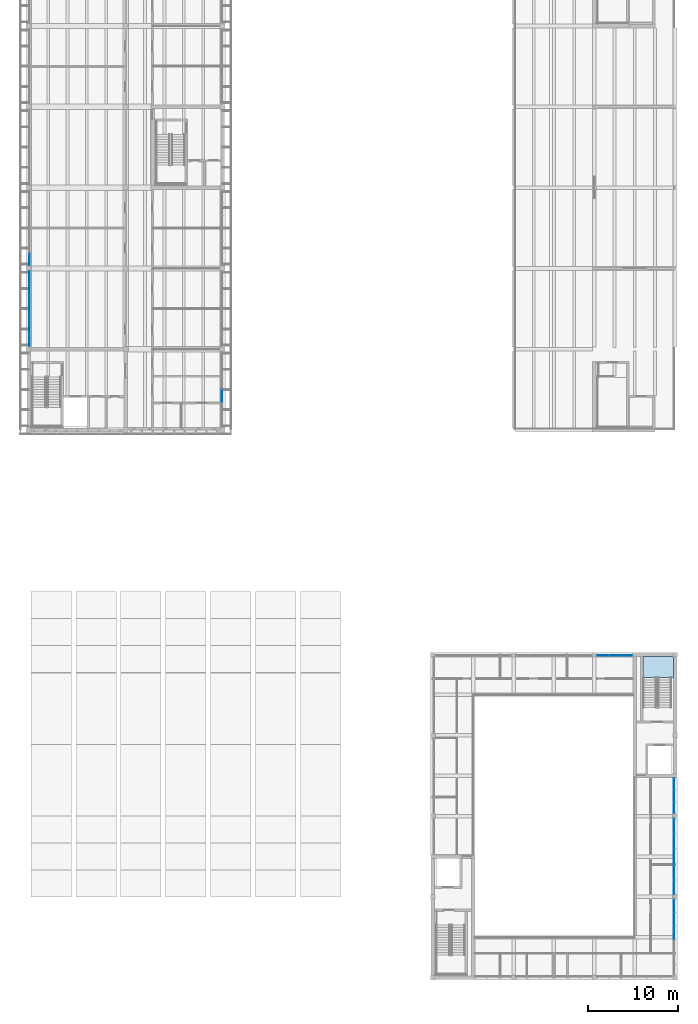
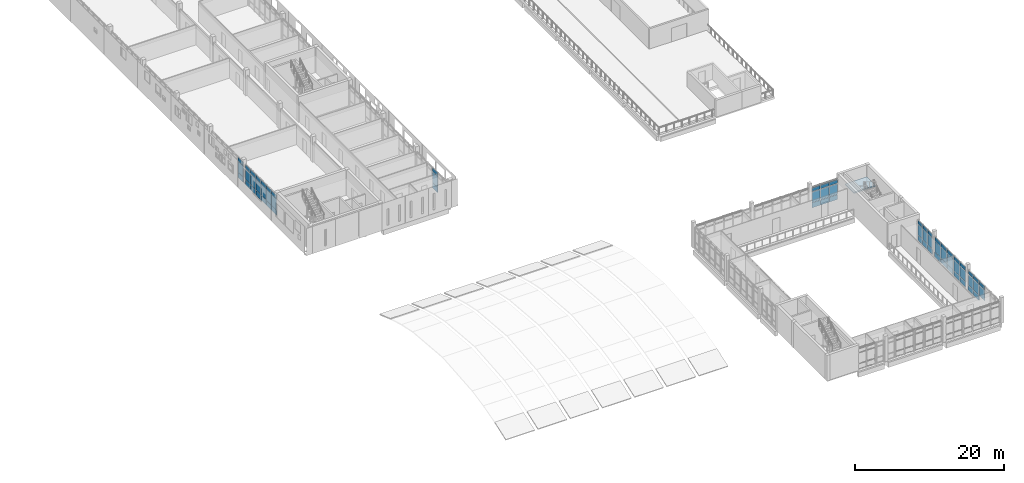
# One storey, part 33 of 74: 65 plates, 1 slab, 9 elements without a shape of their own.
"""IFC4 building model written with IfcOpenShell, lengths in metres."""

from ifc_helpers import new_model, si_unit, direction, frame, origin, origin_2d, place, context, subcontext, project, spatial, polyline, rectangle, outline, extrude, material, layer, layer_set, type_object, element, aggregate, save


model = new_model("IFC4")

# Units and contexts
model_context = context("Model", 3, precision=1e-05, world=origin(), true_north=direction((0.0, 1.0)))
body_context = subcontext(model_context, "Body", "Model", "MODEL_VIEW")
ifc_project = project(units=[si_unit("LENGTHUNIT", "METRE"), si_unit("AREAUNIT", "SQUARE_METRE"), si_unit("VOLUMEUNIT", "CUBIC_METRE"), si_unit("PLANEANGLEUNIT", "RADIAN"), si_unit("MASSUNIT", "GRAM", prefix="KILO")], contexts=[model_context])

# Site, building, storey
site_placement = place(None, origin())
site = spatial("IfcSite", under=ifc_project, at=site_placement, CompositionType="ELEMENT")
building_placement = place(site_placement, origin())
building = spatial("IfcBuilding", under=site, at=building_placement, Name="Merrow Basin Faculty of Sciences", CompositionType="ELEMENT")
storey_placement = place(building_placement, frame((0.0, 0.0, 13.5)))
storey = spatial("IfcBuildingStorey", under=building, at=storey_placement, Name="L03", CompositionType="ELEMENT", Elevation=13.5)

# Curtain wall, plates
ifc_material_1 = material(Name="Aluminium alloy 6063", Category="aluminium")
curtain_wall_type_1 = type_object("IfcCurtainWallType", Name="Atrium unitised curtain wall 240", PredefinedType="NOTDEFINED", material=ifc_material_1)
curtain_wall_1_placement = place(storey_placement, origin())
curtain_wall_1 = element("IfcCurtainWall", 1, at=curtain_wall_1_placement, inside=storey, type_object=curtain_wall_type_1, Name="N curtain wall L03 5", PredefinedType="NOTDEFINED")
ifc_material_2 = material(Name="Low-E double glazing", Category="glass")
ifc_layer_1 = layer(ifc_material_2, 0.031982421875)
ifc_layer_set_1 = layer_set([ifc_layer_1], Name="Acoustic double glazed panel 32")
plate_type_1 = type_object("IfcPlateType", Name="Acoustic double glazed panel 32", PredefinedType="CURTAIN_PANEL", material=ifc_layer_set_1)
plate_1_placement = place(storey_placement, frame((63.93994140625, 35.8798828125, 0.93017578125), z_axis=(0.0, 0.0, 1.0), x_axis=(1.0, 0.0, 0.0)))
plate_1 = element("IfcPlate", 2, at=plate_1_placement, type_object=plate_type_1, Name="CW5 panel 1.2", PredefinedType="CURTAIN_PANEL", context=body_context, shape_type="SweptSolid", body=[
    extrude(rectangle(XDim=1.260009765625, YDim=0.031982421875, at=origin_2d()), origin(), (0.0, 0.0, 1.0), 1.739990234375),
])
plate_2_placement = place(storey_placement, frame((63.93994140625, 35.8798828125, 2.72998046875), z_axis=(0.0, 0.0, 1.0), x_axis=(1.0, 0.0, 0.0)))
plate_2 = element("IfcPlate", 3, at=plate_2_placement, type_object=plate_type_1, Name="CW5 panel 1.3", PredefinedType="CURTAIN_PANEL", context=body_context, shape_type="SweptSolid", body=[
    extrude(rectangle(XDim=1.260009765625, YDim=0.031982421875, at=origin_2d()), origin(), (0.0, 0.0, 1.0), 0.610107421875),
])
plate_3_placement = place(storey_placement, frame((65.27490234375, 35.8798828125, 0.93017578125), z_axis=(0.0, 0.0, 1.0), x_axis=(1.0, 0.0, 0.0)))
plate_3 = element("IfcPlate", 4, at=plate_3_placement, type_object=plate_type_1, Name="CW5 panel 2.2", PredefinedType="CURTAIN_PANEL", context=body_context, shape_type="SweptSolid", body=[
    extrude(rectangle(XDim=1.2900390625, YDim=0.031982421875, at=origin_2d()), origin(), (0.0, 0.0, 1.0), 1.739990234375),
])
plate_4_placement = place(storey_placement, frame((65.27490234375, 35.8798828125, 2.72998046875), z_axis=(0.0, 0.0, 1.0), x_axis=(1.0, 0.0, 0.0)))
plate_4 = element("IfcPlate", 5, at=plate_4_placement, type_object=plate_type_1, Name="CW5 panel 2.3", PredefinedType="CURTAIN_PANEL", context=body_context, shape_type="SweptSolid", body=[
    extrude(rectangle(XDim=1.2900390625, YDim=0.031982421875, at=origin_2d()), origin(), (0.0, 0.0, 1.0), 0.610107421875),
])
plate_5_placement = place(storey_placement, frame((66.610107421875, 35.8798828125, 0.93017578125), z_axis=(0.0, 0.0, 1.0), x_axis=(1.0, 0.0, 0.0)))
plate_5 = element("IfcPlate", 6, at=plate_5_placement, type_object=plate_type_1, Name="CW5 panel 3.2", PredefinedType="CURTAIN_PANEL", context=body_context, shape_type="SweptSolid", body=[
    extrude(rectangle(XDim=1.260009765625, YDim=0.031982421875, at=origin_2d()), origin(), (0.0, 0.0, 1.0), 1.739990234375),
])
plate_6_placement = place(storey_placement, frame((66.610107421875, 35.8798828125, 2.72998046875), z_axis=(0.0, 0.0, 1.0), x_axis=(1.0, 0.0, 0.0)))
plate_6 = element("IfcPlate", 7, at=plate_6_placement, type_object=plate_type_1, Name="CW5 panel 3.3", PredefinedType="CURTAIN_PANEL", context=body_context, shape_type="SweptSolid", body=[
    extrude(rectangle(XDim=1.260009765625, YDim=0.031982421875, at=origin_2d()), origin(), (0.0, 0.0, 1.0), 0.610107421875),
])

curtain_wall_2_placement = place(storey_placement, origin())
curtain_wall_2 = element("IfcCurtainWall", 8, at=curtain_wall_2_placement, inside=storey, type_object=curtain_wall_type_1, Name="E curtain wall L03 2", PredefinedType="NOTDEFINED")
plate_7_placement = place(storey_placement, frame((71.8798828125, 5.0, 0.93017578125), z_axis=(0.0, 0.0, 1.0), x_axis=(0.0, 1.0, 0.0)))
plate_7 = element("IfcPlate", 9, at=plate_7_placement, type_object=plate_type_1, Name="CW5 panel 2.2", PredefinedType="CURTAIN_PANEL", context=body_context, shape_type="SweptSolid", body=[
    extrude(rectangle(XDim=1.43994140625, YDim=0.031982421875, at=origin_2d()), origin(), (0.0, 0.0, 1.0), 1.739990234375),
])
plate_8_placement = place(storey_placement, frame((71.8798828125, 5.0, 2.72998046875), z_axis=(0.0, 0.0, 1.0), x_axis=(0.0, 1.0, 0.0)))
plate_8 = element("IfcPlate", 10, at=plate_8_placement, type_object=plate_type_1, Name="CW5 panel 2.3", PredefinedType="CURTAIN_PANEL", context=body_context, shape_type="SweptSolid", body=[
    extrude(rectangle(XDim=1.43994140625, YDim=0.031982421875, at=origin_2d()), origin(), (0.0, 0.0, 1.0), 0.610107421875),
])
plate_9_placement = place(storey_placement, frame((71.8798828125, 6.5, 0.93017578125), z_axis=(0.0, 0.0, 1.0), x_axis=(0.0, 1.0, 0.0)))
plate_9 = element("IfcPlate", 11, at=plate_9_placement, type_object=plate_type_1, Name="CW5 panel 3.2", PredefinedType="CURTAIN_PANEL", context=body_context, shape_type="SweptSolid", body=[
    extrude(rectangle(XDim=1.43994140625, YDim=0.031982421875, at=origin_2d()), origin(), (0.0, 0.0, 1.0), 1.739990234375),
])
plate_10_placement = place(storey_placement, frame((71.8798828125, 6.5, 2.72998046875), z_axis=(0.0, 0.0, 1.0), x_axis=(0.0, 1.0, 0.0)))
plate_10 = element("IfcPlate", 12, at=plate_10_placement, type_object=plate_type_1, Name="CW5 panel 3.3", PredefinedType="CURTAIN_PANEL", context=body_context, shape_type="SweptSolid", body=[
    extrude(rectangle(XDim=1.43994140625, YDim=0.031982421875, at=origin_2d()), origin(), (0.0, 0.0, 1.0), 0.610107421875),
])
plate_11_placement = place(storey_placement, frame((71.8798828125, 7.985107421875, 0.93017578125), z_axis=(0.0, 0.0, 1.0), x_axis=(0.0, 1.0, 0.0)))
plate_11 = element("IfcPlate", 13, at=plate_11_placement, type_object=plate_type_1, Name="CW5 panel 4.2", PredefinedType="CURTAIN_PANEL", context=body_context, shape_type="SweptSolid", body=[
    extrude(rectangle(XDim=1.409912109375, YDim=0.031982421875, at=origin_2d()), origin(), (0.0, 0.0, 1.0), 1.739990234375),
])
plate_12_placement = place(storey_placement, frame((71.8798828125, 7.985107421875, 2.72998046875), z_axis=(0.0, 0.0, 1.0), x_axis=(0.0, 1.0, 0.0)))
plate_12 = element("IfcPlate", 14, at=plate_12_placement, type_object=plate_type_1, Name="CW5 panel 4.3", PredefinedType="CURTAIN_PANEL", context=body_context, shape_type="SweptSolid", body=[
    extrude(rectangle(XDim=1.409912109375, YDim=0.031982421875, at=origin_2d()), origin(), (0.0, 0.0, 1.0), 0.610107421875),
])

curtain_wall_3_placement = place(storey_placement, origin())
curtain_wall_3 = element("IfcCurtainWall", 15, at=curtain_wall_3_placement, inside=storey, type_object=curtain_wall_type_1, Name="E curtain wall L03 3", PredefinedType="NOTDEFINED")
plate_13_placement = place(storey_placement, frame((71.8798828125, 10.090087890625, 0.93017578125), z_axis=(0.0, 0.0, 1.0), x_axis=(0.0, 1.0, 0.0)))
plate_13 = element("IfcPlate", 16, at=plate_13_placement, type_object=plate_type_1, Name="CW5 panel 1.2", PredefinedType="CURTAIN_PANEL", context=body_context, shape_type="SweptSolid", body=[
    extrude(rectangle(XDim=1.56005859375, YDim=0.031982421875, at=origin_2d()), origin(), (0.0, 0.0, 1.0), 1.739990234375),
])
plate_14_placement = place(storey_placement, frame((71.8798828125, 10.090087890625, 2.72998046875), z_axis=(0.0, 0.0, 1.0), x_axis=(0.0, 1.0, 0.0)))
plate_14 = element("IfcPlate", 17, at=plate_14_placement, type_object=plate_type_1, Name="CW5 panel 1.3", PredefinedType="CURTAIN_PANEL", context=body_context, shape_type="SweptSolid", body=[
    extrude(rectangle(XDim=1.56005859375, YDim=0.031982421875, at=origin_2d()), origin(), (0.0, 0.0, 1.0), 0.610107421875),
])
plate_15_placement = place(storey_placement, frame((71.8798828125, 11.7099609375, 0.93017578125), z_axis=(0.0, 0.0, 1.0), x_axis=(0.0, 1.0, 0.0)))
plate_15 = element("IfcPlate", 18, at=plate_15_placement, type_object=plate_type_1, Name="CW5 panel 2.2", PredefinedType="CURTAIN_PANEL", context=body_context, shape_type="SweptSolid", body=[
    extrude(rectangle(XDim=1.56005859375, YDim=0.031982421875, at=origin_2d()), origin(), (0.0, 0.0, 1.0), 1.739990234375),
])
plate_16_placement = place(storey_placement, frame((71.8798828125, 11.7099609375, 2.72998046875), z_axis=(0.0, 0.0, 1.0), x_axis=(0.0, 1.0, 0.0)))
plate_16 = element("IfcPlate", 19, at=plate_16_placement, type_object=plate_type_1, Name="CW5 panel 2.3", PredefinedType="CURTAIN_PANEL", context=body_context, shape_type="SweptSolid", body=[
    extrude(rectangle(XDim=1.56005859375, YDim=0.031982421875, at=origin_2d()), origin(), (0.0, 0.0, 1.0), 0.610107421875),
])

curtain_wall_4_placement = place(storey_placement, origin())
curtain_wall_4 = element("IfcCurtainWall", 20, at=curtain_wall_4_placement, inside=storey, type_object=curtain_wall_type_1, Name="E curtain wall L03 4", PredefinedType="NOTDEFINED")
plate_17_placement = place(storey_placement, frame((71.8798828125, 13.514892578125, 0.93017578125), z_axis=(0.0, 0.0, 1.0), x_axis=(0.0, 1.0, 0.0)))
plate_17 = element("IfcPlate", 21, at=plate_17_placement, type_object=plate_type_1, Name="CW5 panel 1.2", PredefinedType="CURTAIN_PANEL", context=body_context, shape_type="SweptSolid", body=[
    extrude(rectangle(XDim=1.610107421875, YDim=0.031982421875, at=origin_2d()), origin(), (0.0, 0.0, 1.0), 1.739990234375),
])
plate_18_placement = place(storey_placement, frame((71.8798828125, 13.514892578125, 2.72998046875), z_axis=(0.0, 0.0, 1.0), x_axis=(0.0, 1.0, 0.0)))
plate_18 = element("IfcPlate", 22, at=plate_18_placement, type_object=plate_type_1, Name="CW5 panel 1.3", PredefinedType="CURTAIN_PANEL", context=body_context, shape_type="SweptSolid", body=[
    extrude(rectangle(XDim=1.610107421875, YDim=0.031982421875, at=origin_2d()), origin(), (0.0, 0.0, 1.0), 0.610107421875),
])
plate_19_placement = place(storey_placement, frame((71.8798828125, 15.199951171875, 0.93017578125), z_axis=(0.0, 0.0, 1.0), x_axis=(0.0, 1.0, 0.0)))
plate_19 = element("IfcPlate", 23, at=plate_19_placement, type_object=plate_type_1, Name="CW5 panel 2.2", PredefinedType="CURTAIN_PANEL", context=body_context, shape_type="SweptSolid", body=[
    extrude(rectangle(XDim=1.639892578125, YDim=0.031982421875, at=origin_2d()), origin(), (0.0, 0.0, 1.0), 1.739990234375),
])
plate_20_placement = place(storey_placement, frame((71.8798828125, 15.199951171875, 2.72998046875), z_axis=(0.0, 0.0, 1.0), x_axis=(0.0, 1.0, 0.0)))
plate_20 = element("IfcPlate", 24, at=plate_20_placement, type_object=plate_type_1, Name="CW5 panel 2.3", PredefinedType="CURTAIN_PANEL", context=body_context, shape_type="SweptSolid", body=[
    extrude(rectangle(XDim=1.639892578125, YDim=0.031982421875, at=origin_2d()), origin(), (0.0, 0.0, 1.0), 0.610107421875),
])
plate_21_placement = place(storey_placement, frame((71.8798828125, 16.885009765625, 0.93017578125), z_axis=(0.0, 0.0, 1.0), x_axis=(0.0, 1.0, 0.0)))
plate_21 = element("IfcPlate", 25, at=plate_21_placement, type_object=plate_type_1, Name="CW5 panel 3.2", PredefinedType="CURTAIN_PANEL", context=body_context, shape_type="SweptSolid", body=[
    extrude(rectangle(XDim=1.610107421875, YDim=0.031982421875, at=origin_2d()), origin(), (0.0, 0.0, 1.0), 1.739990234375),
])
plate_22_placement = place(storey_placement, frame((71.8798828125, 16.885009765625, 2.72998046875), z_axis=(0.0, 0.0, 1.0), x_axis=(0.0, 1.0, 0.0)))
plate_22 = element("IfcPlate", 26, at=plate_22_placement, type_object=plate_type_1, Name="CW5 panel 3.3", PredefinedType="CURTAIN_PANEL", context=body_context, shape_type="SweptSolid", body=[
    extrude(rectangle(XDim=1.610107421875, YDim=0.031982421875, at=origin_2d()), origin(), (0.0, 0.0, 1.0), 0.610107421875),
])

curtain_wall_5_placement = place(storey_placement, origin())
curtain_wall_5 = element("IfcCurtainWall", 27, at=curtain_wall_5_placement, inside=storey, type_object=curtain_wall_type_1, Name="E curtain wall L03 5", PredefinedType="NOTDEFINED")
plate_23_placement = place(storey_placement, frame((71.8798828125, 18.93994140625, 0.93017578125), z_axis=(0.0, 0.0, 1.0), x_axis=(0.0, 1.0, 0.0)))
plate_23 = element("IfcPlate", 28, at=plate_23_placement, type_object=plate_type_1, Name="CW5 panel 1.2", PredefinedType="CURTAIN_PANEL", context=body_context, shape_type="SweptSolid", body=[
    extrude(rectangle(XDim=1.260009765625, YDim=0.031982421875, at=origin_2d()), origin(), (0.0, 0.0, 1.0), 1.739990234375),
])
plate_24_placement = place(storey_placement, frame((71.8798828125, 18.93994140625, 2.72998046875), z_axis=(0.0, 0.0, 1.0), x_axis=(0.0, 1.0, 0.0)))
plate_24 = element("IfcPlate", 29, at=plate_24_placement, type_object=plate_type_1, Name="CW5 panel 1.3", PredefinedType="CURTAIN_PANEL", context=body_context, shape_type="SweptSolid", body=[
    extrude(rectangle(XDim=1.260009765625, YDim=0.031982421875, at=origin_2d()), origin(), (0.0, 0.0, 1.0), 0.610107421875),
])
plate_25_placement = place(storey_placement, frame((71.8798828125, 20.27490234375, 0.93017578125), z_axis=(0.0, 0.0, 1.0), x_axis=(0.0, 1.0, 0.0)))
plate_25 = element("IfcPlate", 30, at=plate_25_placement, type_object=plate_type_1, Name="CW5 panel 2.2", PredefinedType="CURTAIN_PANEL", context=body_context, shape_type="SweptSolid", body=[
    extrude(rectangle(XDim=1.2900390625, YDim=0.031982421875, at=origin_2d()), origin(), (0.0, 0.0, 1.0), 1.739990234375),
])
plate_26_placement = place(storey_placement, frame((71.8798828125, 20.27490234375, 2.72998046875), z_axis=(0.0, 0.0, 1.0), x_axis=(0.0, 1.0, 0.0)))
plate_26 = element("IfcPlate", 31, at=plate_26_placement, type_object=plate_type_1, Name="CW5 panel 2.3", PredefinedType="CURTAIN_PANEL", context=body_context, shape_type="SweptSolid", body=[
    extrude(rectangle(XDim=1.2900390625, YDim=0.031982421875, at=origin_2d()), origin(), (0.0, 0.0, 1.0), 0.610107421875),
])
plate_27_placement = place(storey_placement, frame((71.8798828125, 21.610107421875, 0.93017578125), z_axis=(0.0, 0.0, 1.0), x_axis=(0.0, 1.0, 0.0)))
plate_27 = element("IfcPlate", 32, at=plate_27_placement, type_object=plate_type_1, Name="CW5 panel 3.2", PredefinedType="CURTAIN_PANEL", context=body_context, shape_type="SweptSolid", body=[
    extrude(rectangle(XDim=1.260009765625, YDim=0.031982421875, at=origin_2d()), origin(), (0.0, 0.0, 1.0), 1.739990234375),
])
plate_28_placement = place(storey_placement, frame((71.8798828125, 21.610107421875, 2.72998046875), z_axis=(0.0, 0.0, 1.0), x_axis=(0.0, 1.0, 0.0)))
plate_28 = element("IfcPlate", 33, at=plate_28_placement, type_object=plate_type_1, Name="CW5 panel 3.3", PredefinedType="CURTAIN_PANEL", context=body_context, shape_type="SweptSolid", body=[
    extrude(rectangle(XDim=1.260009765625, YDim=0.031982421875, at=origin_2d()), origin(), (0.0, 0.0, 1.0), 0.610107421875),
])

ifc_material_3 = material(Name="Aluminium alloy 6063", Category="aluminium")
curtain_wall_type_2 = type_object("IfcCurtainWallType", Name="Bar unitised curtain wall 180", PredefinedType="NOTDEFINED", material=ifc_material_3)
curtain_wall_6_placement = place(storey_placement, origin())
curtain_wall_6 = element("IfcCurtainWall", 34, at=curtain_wall_6_placement, inside=storey, type_object=curtain_wall_type_2, Name="West curtain wall L03 1", PredefinedType="NOTDEFINED")
ifc_material_4 = material(Name="Insulated aluminium spandrel panel", Category="aluminium")
ifc_layer_2 = layer(ifc_material_4, 0.052001953125)
ifc_layer_set_2 = layer_set([ifc_layer_2], Name="Insulated spandrel panel 52")
plate_type_2 = type_object("IfcPlateType", Name="Insulated spandrel panel 52", PredefinedType="CURTAIN_PANEL", material=ifc_layer_set_2)
plate_29_placement = place(storey_placement, frame((0.090087890625, 70.994140625, 0.06005859375), z_axis=(0.0, 0.0, 1.0), x_axis=(0.0, 1.0, 0.0)))
plate_29 = element("IfcPlate", 35, at=plate_29_placement, type_object=plate_type_2, Name="CW1 panel 1.1", PredefinedType="CURTAIN_PANEL", context=body_context, shape_type="SweptSolid", body=[
    extrude(rectangle(XDim=1.318359375, YDim=0.052001953125, at=origin_2d()), origin(), (0.0, 0.0, 1.0), 0.81005859375),
])
plate_30_placement = place(storey_placement, frame((0.090087890625, 72.387451171875, 0.06005859375), z_axis=(0.0, 0.0, 1.0), x_axis=(0.0, 1.0, 0.0)))
plate_30 = element("IfcPlate", 36, at=plate_30_placement, type_object=plate_type_2, Name="CW1 panel 2.1", PredefinedType="CURTAIN_PANEL", context=body_context, shape_type="SweptSolid", body=[
    extrude(rectangle(XDim=1.348388671875, YDim=0.052001953125, at=origin_2d()), origin(), (0.0, 0.0, 1.0), 0.81005859375),
])
plate_31_placement = place(storey_placement, frame((0.090087890625, 73.7958984375, 0.06005859375), z_axis=(0.0, 0.0, 1.0), x_axis=(0.0, 1.0, 0.0)))
plate_31 = element("IfcPlate", 37, at=plate_31_placement, type_object=plate_type_2, Name="CW1 panel 3.1", PredefinedType="CURTAIN_PANEL", context=body_context, shape_type="SweptSolid", body=[
    extrude(rectangle(XDim=1.348388671875, YDim=0.052001953125, at=origin_2d()), origin(), (0.0, 0.0, 1.0), 0.81005859375),
])
plate_32_placement = place(storey_placement, frame((0.090087890625, 75.2041015625, 0.06005859375), z_axis=(0.0, 0.0, 1.0), x_axis=(0.0, 1.0, 0.0)))
plate_32 = element("IfcPlate", 38, at=plate_32_placement, type_object=plate_type_2, Name="CW1 panel 4.1", PredefinedType="CURTAIN_PANEL", context=body_context, shape_type="SweptSolid", body=[
    extrude(rectangle(XDim=1.348388671875, YDim=0.052001953125, at=origin_2d()), origin(), (0.0, 0.0, 1.0), 0.81005859375),
])
plate_33_placement = place(storey_placement, frame((0.090087890625, 76.612548828125, 0.06005859375), z_axis=(0.0, 0.0, 1.0), x_axis=(0.0, 1.0, 0.0)))
plate_33 = element("IfcPlate", 39, at=plate_33_placement, type_object=plate_type_2, Name="CW1 panel 5.1", PredefinedType="CURTAIN_PANEL", context=body_context, shape_type="SweptSolid", body=[
    extrude(rectangle(XDim=1.348388671875, YDim=0.052001953125, at=origin_2d()), origin(), (0.0, 0.0, 1.0), 0.81005859375),
])
plate_34_placement = place(storey_placement, frame((0.090087890625, 78.005859375, 0.06005859375), z_axis=(0.0, 0.0, 1.0), x_axis=(0.0, 1.0, 0.0)))
plate_34 = element("IfcPlate", 40, at=plate_34_placement, type_object=plate_type_2, Name="CW1 panel 6.1", PredefinedType="CURTAIN_PANEL", context=body_context, shape_type="SweptSolid", body=[
    extrude(rectangle(XDim=1.318359375, YDim=0.052001953125, at=origin_2d()), origin(), (0.0, 0.0, 1.0), 0.81005859375),
])

# Curtain wall, plate
curtain_wall_7_placement = place(storey_placement, origin())
curtain_wall_7 = element("IfcCurtainWall", 41, at=curtain_wall_7_placement, inside=storey, type_object=curtain_wall_type_2, Name="West curtain wall L03 2", PredefinedType="NOTDEFINED")
plate_35_placement = place(storey_placement, frame((0.090087890625, 79.994140625, 0.06005859375), z_axis=(0.0, 0.0, 1.0), x_axis=(0.0, 1.0, 0.0)))
plate_35 = element("IfcPlate", 42, at=plate_35_placement, type_object=plate_type_2, Name="CW1 panel 1.1", PredefinedType="CURTAIN_PANEL", context=body_context, shape_type="SweptSolid", body=[
    extrude(rectangle(XDim=1.318359375, YDim=0.052001953125, at=origin_2d()), origin(), (0.0, 0.0, 1.0), 0.81005859375),
])

curtain_wall_8_placement = place(storey_placement, origin())
curtain_wall_8 = element("IfcCurtainWall", 43, at=curtain_wall_8_placement, inside=storey, type_object=curtain_wall_type_2, Name="East curtain wall L03 1", PredefinedType="NOTDEFINED")
plate_36_placement = place(storey_placement, frame((21.510009765625, 64.7958984375, 0.06005859375), z_axis=(0.0, 0.0, 1.0), x_axis=(0.0, 1.0, 0.0)))
plate_36 = element("IfcPlate", 44, at=plate_36_placement, type_object=plate_type_2, Name="CW1 panel 3.1", PredefinedType="CURTAIN_PANEL", context=body_context, shape_type="SweptSolid", body=[
    extrude(rectangle(XDim=1.348388671875, YDim=0.052001953125, at=origin_2d()), origin(), (0.0, 0.0, 1.0), 0.81005859375),
])

# Plate
plate_37_placement = place(storey_placement, frame((63.93994140625, 35.8798828125, 0.06005859375), z_axis=(0.0, 0.0, 1.0), x_axis=(1.0, 0.0, 0.0)))
plate_37 = element("IfcPlate", 45, at=plate_37_placement, type_object=plate_type_2, Name="CW5 panel 1.1", PredefinedType="CURTAIN_PANEL", context=body_context, shape_type="SweptSolid", body=[
    extrude(rectangle(XDim=1.260009765625, YDim=0.052001953125, at=origin_2d()), origin(), (0.0, 0.0, 1.0), 0.81005859375),
])

plate_38_placement = place(storey_placement, frame((65.27490234375, 35.8798828125, 0.06005859375), z_axis=(0.0, 0.0, 1.0), x_axis=(1.0, 0.0, 0.0)))
plate_38 = element("IfcPlate", 46, at=plate_38_placement, type_object=plate_type_2, Name="CW5 panel 2.1", PredefinedType="CURTAIN_PANEL", context=body_context, shape_type="SweptSolid", body=[
    extrude(rectangle(XDim=1.2900390625, YDim=0.052001953125, at=origin_2d()), origin(), (0.0, 0.0, 1.0), 0.81005859375),
])

plate_39_placement = place(storey_placement, frame((66.610107421875, 35.8798828125, 0.06005859375), z_axis=(0.0, 0.0, 1.0), x_axis=(1.0, 0.0, 0.0)))
plate_39 = element("IfcPlate", 47, at=plate_39_placement, type_object=plate_type_2, Name="CW5 panel 3.1", PredefinedType="CURTAIN_PANEL", context=body_context, shape_type="SweptSolid", body=[
    extrude(rectangle(XDim=1.260009765625, YDim=0.052001953125, at=origin_2d()), origin(), (0.0, 0.0, 1.0), 0.81005859375),
])

aggregate(curtain_wall_1, [plate_37, plate_1, plate_2, plate_38, plate_3, plate_4, plate_39, plate_5, plate_6])

plate_40_placement = place(storey_placement, frame((71.8798828125, 6.5, 0.06005859375), z_axis=(0.0, 0.0, 1.0), x_axis=(0.0, 1.0, 0.0)))
plate_40 = element("IfcPlate", 48, at=plate_40_placement, type_object=plate_type_2, Name="CW5 panel 3.1", PredefinedType="CURTAIN_PANEL", context=body_context, shape_type="SweptSolid", body=[
    extrude(rectangle(XDim=1.43994140625, YDim=0.052001953125, at=origin_2d()), origin(), (0.0, 0.0, 1.0), 0.81005859375),
])

plate_41_placement = place(storey_placement, frame((71.8798828125, 7.985107421875, 0.06005859375), z_axis=(0.0, 0.0, 1.0), x_axis=(0.0, 1.0, 0.0)))
plate_41 = element("IfcPlate", 49, at=plate_41_placement, type_object=plate_type_2, Name="CW5 panel 4.1", PredefinedType="CURTAIN_PANEL", context=body_context, shape_type="SweptSolid", body=[
    extrude(rectangle(XDim=1.409912109375, YDim=0.052001953125, at=origin_2d()), origin(), (0.0, 0.0, 1.0), 0.81005859375),
])

aggregate(curtain_wall_2, [plate_7, plate_8, plate_40, plate_9, plate_10, plate_41, plate_11, plate_12])

plate_42_placement = place(storey_placement, frame((71.8798828125, 10.090087890625, 0.06005859375), z_axis=(0.0, 0.0, 1.0), x_axis=(0.0, 1.0, 0.0)))
plate_42 = element("IfcPlate", 50, at=plate_42_placement, type_object=plate_type_2, Name="CW5 panel 1.1", PredefinedType="CURTAIN_PANEL", context=body_context, shape_type="SweptSolid", body=[
    extrude(rectangle(XDim=1.56005859375, YDim=0.052001953125, at=origin_2d()), origin(), (0.0, 0.0, 1.0), 0.81005859375),
])

plate_43_placement = place(storey_placement, frame((71.8798828125, 11.7099609375, 0.06005859375), z_axis=(0.0, 0.0, 1.0), x_axis=(0.0, 1.0, 0.0)))
plate_43 = element("IfcPlate", 51, at=plate_43_placement, type_object=plate_type_2, Name="CW5 panel 2.1", PredefinedType="CURTAIN_PANEL", context=body_context, shape_type="SweptSolid", body=[
    extrude(rectangle(XDim=1.56005859375, YDim=0.052001953125, at=origin_2d()), origin(), (0.0, 0.0, 1.0), 0.81005859375),
])

aggregate(curtain_wall_3, [plate_42, plate_13, plate_14, plate_43, plate_15, plate_16])

plate_44_placement = place(storey_placement, frame((71.8798828125, 13.514892578125, 0.06005859375), z_axis=(0.0, 0.0, 1.0), x_axis=(0.0, 1.0, 0.0)))
plate_44 = element("IfcPlate", 52, at=plate_44_placement, type_object=plate_type_2, Name="CW5 panel 1.1", PredefinedType="CURTAIN_PANEL", context=body_context, shape_type="SweptSolid", body=[
    extrude(rectangle(XDim=1.610107421875, YDim=0.052001953125, at=origin_2d()), origin(), (0.0, 0.0, 1.0), 0.81005859375),
])

plate_45_placement = place(storey_placement, frame((71.8798828125, 15.199951171875, 0.06005859375), z_axis=(0.0, 0.0, 1.0), x_axis=(0.0, 1.0, 0.0)))
plate_45 = element("IfcPlate", 53, at=plate_45_placement, type_object=plate_type_2, Name="CW5 panel 2.1", PredefinedType="CURTAIN_PANEL", context=body_context, shape_type="SweptSolid", body=[
    extrude(rectangle(XDim=1.639892578125, YDim=0.052001953125, at=origin_2d()), origin(), (0.0, 0.0, 1.0), 0.81005859375),
])

plate_46_placement = place(storey_placement, frame((71.8798828125, 16.885009765625, 0.06005859375), z_axis=(0.0, 0.0, 1.0), x_axis=(0.0, 1.0, 0.0)))
plate_46 = element("IfcPlate", 54, at=plate_46_placement, type_object=plate_type_2, Name="CW5 panel 3.1", PredefinedType="CURTAIN_PANEL", context=body_context, shape_type="SweptSolid", body=[
    extrude(rectangle(XDim=1.610107421875, YDim=0.052001953125, at=origin_2d()), origin(), (0.0, 0.0, 1.0), 0.81005859375),
])

aggregate(curtain_wall_4, [plate_44, plate_17, plate_18, plate_45, plate_19, plate_20, plate_46, plate_21, plate_22])

plate_47_placement = place(storey_placement, frame((71.8798828125, 18.93994140625, 0.06005859375), z_axis=(0.0, 0.0, 1.0), x_axis=(0.0, 1.0, 0.0)))
plate_47 = element("IfcPlate", 55, at=plate_47_placement, type_object=plate_type_2, Name="CW5 panel 1.1", PredefinedType="CURTAIN_PANEL", context=body_context, shape_type="SweptSolid", body=[
    extrude(rectangle(XDim=1.260009765625, YDim=0.052001953125, at=origin_2d()), origin(), (0.0, 0.0, 1.0), 0.81005859375),
])

plate_48_placement = place(storey_placement, frame((71.8798828125, 20.27490234375, 0.06005859375), z_axis=(0.0, 0.0, 1.0), x_axis=(0.0, 1.0, 0.0)))
plate_48 = element("IfcPlate", 56, at=plate_48_placement, type_object=plate_type_2, Name="CW5 panel 2.1", PredefinedType="CURTAIN_PANEL", context=body_context, shape_type="SweptSolid", body=[
    extrude(rectangle(XDim=1.2900390625, YDim=0.052001953125, at=origin_2d()), origin(), (0.0, 0.0, 1.0), 0.81005859375),
])

plate_49_placement = place(storey_placement, frame((71.8798828125, 21.610107421875, 0.06005859375), z_axis=(0.0, 0.0, 1.0), x_axis=(0.0, 1.0, 0.0)))
plate_49 = element("IfcPlate", 57, at=plate_49_placement, type_object=plate_type_2, Name="CW5 panel 3.1", PredefinedType="CURTAIN_PANEL", context=body_context, shape_type="SweptSolid", body=[
    extrude(rectangle(XDim=1.260009765625, YDim=0.052001953125, at=origin_2d()), origin(), (0.0, 0.0, 1.0), 0.81005859375),
])

aggregate(curtain_wall_5, [plate_47, plate_23, plate_24, plate_48, plate_25, plate_26, plate_49, plate_27, plate_28])

ifc_material_5 = material(Name="Low-E double glazing", Category="glass")
ifc_layer_3 = layer(ifc_material_5, 0.028076171875)
ifc_layer_set_3 = layer_set([ifc_layer_3], Name="Low-E double glazed panel 28")
plate_type_3 = type_object("IfcPlateType", Name="Low-E double glazed panel 28", PredefinedType="CURTAIN_PANEL", material=ifc_layer_set_3)
plate_50_placement = place(storey_placement, frame((0.090087890625, 70.994140625, 0.93017578125), z_axis=(0.0, 0.0, 1.0), x_axis=(0.0, 1.0, 0.0)))
plate_50 = element("IfcPlate", 58, at=plate_50_placement, type_object=plate_type_3, Name="CW1 panel 1.2", PredefinedType="CURTAIN_PANEL", context=body_context, shape_type="SweptSolid", body=[
    extrude(rectangle(XDim=1.318359375, YDim=0.028076171875, at=origin_2d()), origin(), (0.0, 0.0, 1.0), 1.739990234375),
])

plate_51_placement = place(storey_placement, frame((0.090087890625, 70.994140625, 2.72998046875), z_axis=(0.0, 0.0, 1.0), x_axis=(0.0, 1.0, 0.0)))
plate_51 = element("IfcPlate", 59, at=plate_51_placement, type_object=plate_type_3, Name="CW1 panel 1.3", PredefinedType="CURTAIN_PANEL", context=body_context, shape_type="SweptSolid", body=[
    extrude(rectangle(XDim=1.318359375, YDim=0.028076171875, at=origin_2d()), origin(), (0.0, 0.0, 1.0), 0.610107421875),
])

plate_52_placement = place(storey_placement, frame((0.090087890625, 72.387451171875, 0.93017578125), z_axis=(0.0, 0.0, 1.0), x_axis=(0.0, 1.0, 0.0)))
plate_52 = element("IfcPlate", 60, at=plate_52_placement, type_object=plate_type_3, Name="CW1 panel 2.2", PredefinedType="CURTAIN_PANEL", context=body_context, shape_type="SweptSolid", body=[
    extrude(rectangle(XDim=1.348388671875, YDim=0.028076171875, at=origin_2d()), origin(), (0.0, 0.0, 1.0), 1.739990234375),
])

plate_53_placement = place(storey_placement, frame((0.090087890625, 72.387451171875, 2.72998046875), z_axis=(0.0, 0.0, 1.0), x_axis=(0.0, 1.0, 0.0)))
plate_53 = element("IfcPlate", 61, at=plate_53_placement, type_object=plate_type_3, Name="CW1 panel 2.3", PredefinedType="CURTAIN_PANEL", context=body_context, shape_type="SweptSolid", body=[
    extrude(rectangle(XDim=1.348388671875, YDim=0.028076171875, at=origin_2d()), origin(), (0.0, 0.0, 1.0), 0.610107421875),
])

plate_54_placement = place(storey_placement, frame((0.090087890625, 73.7958984375, 0.93017578125), z_axis=(0.0, 0.0, 1.0), x_axis=(0.0, 1.0, 0.0)))
plate_54 = element("IfcPlate", 62, at=plate_54_placement, type_object=plate_type_3, Name="CW1 panel 3.2", PredefinedType="CURTAIN_PANEL", context=body_context, shape_type="SweptSolid", body=[
    extrude(rectangle(XDim=1.348388671875, YDim=0.028076171875, at=origin_2d()), origin(), (0.0, 0.0, 1.0), 1.739990234375),
])

plate_55_placement = place(storey_placement, frame((0.090087890625, 73.7958984375, 2.72998046875), z_axis=(0.0, 0.0, 1.0), x_axis=(0.0, 1.0, 0.0)))
plate_55 = element("IfcPlate", 63, at=plate_55_placement, type_object=plate_type_3, Name="CW1 panel 3.3", PredefinedType="CURTAIN_PANEL", context=body_context, shape_type="SweptSolid", body=[
    extrude(rectangle(XDim=1.348388671875, YDim=0.028076171875, at=origin_2d()), origin(), (0.0, 0.0, 1.0), 0.610107421875),
])

plate_56_placement = place(storey_placement, frame((0.090087890625, 75.2041015625, 0.93017578125), z_axis=(0.0, 0.0, 1.0), x_axis=(0.0, 1.0, 0.0)))
plate_56 = element("IfcPlate", 64, at=plate_56_placement, type_object=plate_type_3, Name="CW1 panel 4.2", PredefinedType="CURTAIN_PANEL", context=body_context, shape_type="SweptSolid", body=[
    extrude(rectangle(XDim=1.348388671875, YDim=0.028076171875, at=origin_2d()), origin(), (0.0, 0.0, 1.0), 1.739990234375),
])

plate_57_placement = place(storey_placement, frame((0.090087890625, 75.2041015625, 2.72998046875), z_axis=(0.0, 0.0, 1.0), x_axis=(0.0, 1.0, 0.0)))
plate_57 = element("IfcPlate", 65, at=plate_57_placement, type_object=plate_type_3, Name="CW1 panel 4.3", PredefinedType="CURTAIN_PANEL", context=body_context, shape_type="SweptSolid", body=[
    extrude(rectangle(XDim=1.348388671875, YDim=0.028076171875, at=origin_2d()), origin(), (0.0, 0.0, 1.0), 0.610107421875),
])

plate_58_placement = place(storey_placement, frame((0.090087890625, 76.612548828125, 0.93017578125), z_axis=(0.0, 0.0, 1.0), x_axis=(0.0, 1.0, 0.0)))
plate_58 = element("IfcPlate", 66, at=plate_58_placement, type_object=plate_type_3, Name="CW1 panel 5.2", PredefinedType="CURTAIN_PANEL", context=body_context, shape_type="SweptSolid", body=[
    extrude(rectangle(XDim=1.348388671875, YDim=0.028076171875, at=origin_2d()), origin(), (0.0, 0.0, 1.0), 1.739990234375),
])

plate_59_placement = place(storey_placement, frame((0.090087890625, 76.612548828125, 2.72998046875), z_axis=(0.0, 0.0, 1.0), x_axis=(0.0, 1.0, 0.0)))
plate_59 = element("IfcPlate", 67, at=plate_59_placement, type_object=plate_type_3, Name="CW1 panel 5.3", PredefinedType="CURTAIN_PANEL", context=body_context, shape_type="SweptSolid", body=[
    extrude(rectangle(XDim=1.348388671875, YDim=0.028076171875, at=origin_2d()), origin(), (0.0, 0.0, 1.0), 0.610107421875),
])

plate_60_placement = place(storey_placement, frame((0.090087890625, 78.005859375, 0.93017578125), z_axis=(0.0, 0.0, 1.0), x_axis=(0.0, 1.0, 0.0)))
plate_60 = element("IfcPlate", 68, at=plate_60_placement, type_object=plate_type_3, Name="CW1 panel 6.2", PredefinedType="CURTAIN_PANEL", context=body_context, shape_type="SweptSolid", body=[
    extrude(rectangle(XDim=1.318359375, YDim=0.028076171875, at=origin_2d()), origin(), (0.0, 0.0, 1.0), 1.739990234375),
])

plate_61_placement = place(storey_placement, frame((0.090087890625, 78.005859375, 2.72998046875), z_axis=(0.0, 0.0, 1.0), x_axis=(0.0, 1.0, 0.0)))
plate_61 = element("IfcPlate", 69, at=plate_61_placement, type_object=plate_type_3, Name="CW1 panel 6.3", PredefinedType="CURTAIN_PANEL", context=body_context, shape_type="SweptSolid", body=[
    extrude(rectangle(XDim=1.318359375, YDim=0.028076171875, at=origin_2d()), origin(), (0.0, 0.0, 1.0), 0.610107421875),
])

aggregate(curtain_wall_6, [plate_29, plate_50, plate_51, plate_30, plate_52, plate_53, plate_31, plate_54, plate_55, plate_32, plate_56, plate_57, plate_33, plate_58, plate_59, plate_34, plate_60, plate_61])

plate_62_placement = place(storey_placement, frame((0.090087890625, 79.994140625, 0.93017578125), z_axis=(0.0, 0.0, 1.0), x_axis=(0.0, 1.0, 0.0)))
plate_62 = element("IfcPlate", 70, at=plate_62_placement, type_object=plate_type_3, Name="CW1 panel 1.2", PredefinedType="CURTAIN_PANEL", context=body_context, shape_type="SweptSolid", body=[
    extrude(rectangle(XDim=1.318359375, YDim=0.028076171875, at=origin_2d()), origin(), (0.0, 0.0, 1.0), 1.739990234375),
])

plate_63_placement = place(storey_placement, frame((0.090087890625, 79.994140625, 2.72998046875), z_axis=(0.0, 0.0, 1.0), x_axis=(0.0, 1.0, 0.0)))
plate_63 = element("IfcPlate", 71, at=plate_63_placement, type_object=plate_type_3, Name="CW1 panel 1.3", PredefinedType="CURTAIN_PANEL", context=body_context, shape_type="SweptSolid", body=[
    extrude(rectangle(XDim=1.318359375, YDim=0.028076171875, at=origin_2d()), origin(), (0.0, 0.0, 1.0), 0.610107421875),
])

aggregate(curtain_wall_7, [plate_35, plate_62, plate_63])

plate_64_placement = place(storey_placement, frame((21.510009765625, 64.7958984375, 0.93017578125), z_axis=(0.0, 0.0, 1.0), x_axis=(0.0, 1.0, 0.0)))
plate_64 = element("IfcPlate", 72, at=plate_64_placement, type_object=plate_type_3, Name="CW1 panel 3.2", PredefinedType="CURTAIN_PANEL", context=body_context, shape_type="SweptSolid", body=[
    extrude(rectangle(XDim=1.348388671875, YDim=0.028076171875, at=origin_2d()), origin(), (0.0, 0.0, 1.0), 1.739990234375),
])

plate_65_placement = place(storey_placement, frame((21.510009765625, 64.7958984375, 2.72998046875), z_axis=(0.0, 0.0, 1.0), x_axis=(0.0, 1.0, 0.0)))
plate_65 = element("IfcPlate", 73, at=plate_65_placement, type_object=plate_type_3, Name="CW1 panel 3.3", PredefinedType="CURTAIN_PANEL", context=body_context, shape_type="SweptSolid", body=[
    extrude(rectangle(XDim=1.348388671875, YDim=0.028076171875, at=origin_2d()), origin(), (0.0, 0.0, 1.0), 0.610107421875),
])

aggregate(curtain_wall_8, [plate_36, plate_64, plate_65])

# Stair, slab
ifc_material_6 = material(Name="Concrete C40/50", Category="concrete")
stair_type = type_object("IfcStairType", Name="Concrete dog-leg stair Concrete C40/50", PredefinedType="HALF_TURN_STAIR", material=ifc_material_6)
stair_placement = place(storey_placement, origin())
stair = element("IfcStair", 74, at=stair_placement, inside=storey, type_object=stair_type, Name="L03 Exit stair E", PredefinedType="HALF_TURN_STAIR")
ifc_material_7 = material(Name="Concrete C40/50", Category="concrete")
ifc_layer_4 = layer(ifc_material_7, 0.199951171875)
ifc_layer_set_4 = layer_set([ifc_layer_4], Name="Stair landing 200 Concrete C40/50")
slab_type = type_object("IfcSlabType", Name="Stair landing 200 Concrete C40/50", PredefinedType="LANDING", material=ifc_layer_set_4)
slab_placement = place(storey_placement, frame((0.0, 0.0, 2.050048828125)))
slab = element("IfcSlab", 75, at=slab_placement, type_object=slab_type, Name="ST-V3-E landing 1", PredefinedType="LANDING", context=body_context, shape_type="SweptSolid", body=[
    extrude(outline(polyline([(68.39990234375, 33.4599609375), (71.800048828125, 33.4599609375), (71.800048828125, 35.800048828125), (68.39990234375, 35.800048828125), (68.39990234375, 33.4599609375)])), origin(), (0.0, 0.0, 1.0), 0.199951171875),
])
aggregate(stair, [slab])

save(model, "model.ifc")
